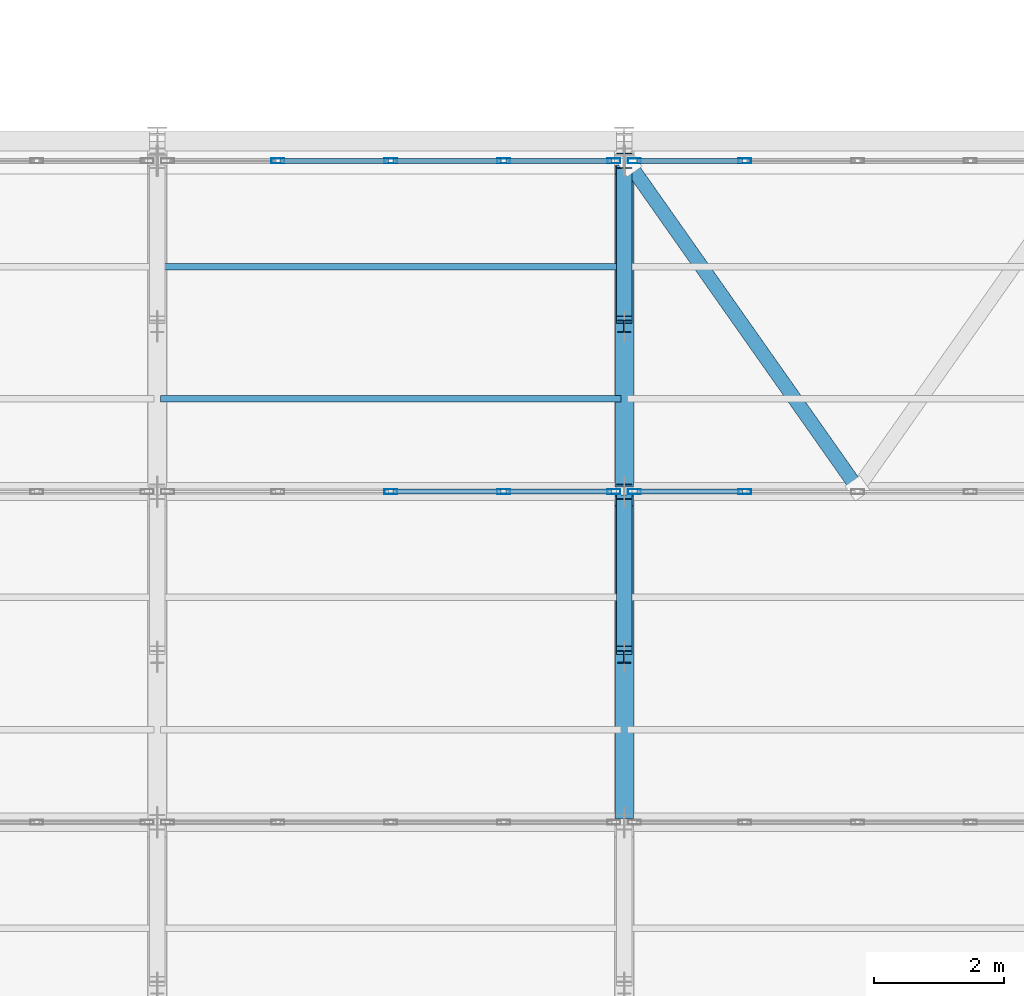
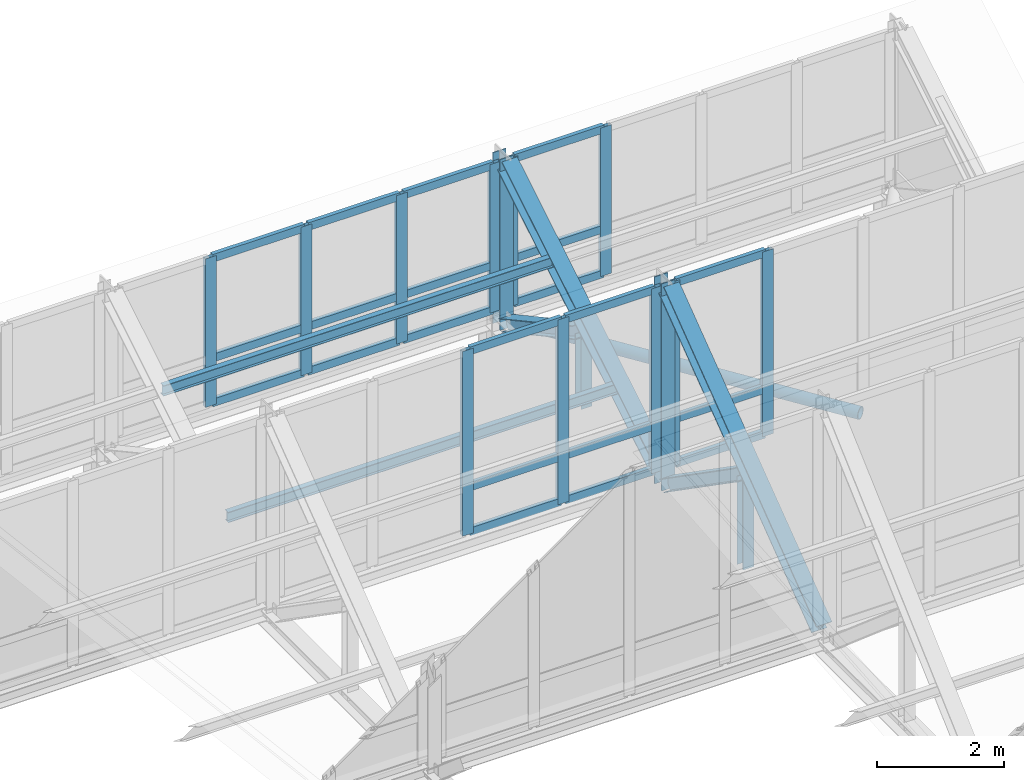
# One storey, part 69 of 157: 43 members, 4 elements without a shape of their own.
"""IFC4 building model written with IfcOpenShell, lengths in metres."""

from ifc_helpers import new_model, si_unit, direction, frame, origin, origin_2d, place, context, subcontext, project, spatial, hollow_rectangle, hollow_circle, i_section, extrude, material, material_profile, profile_set, type_object, element, aggregate, save


model = new_model("IFC4")

# Units and contexts
model_context = context("Model", 3, precision=1e-05, world=origin(), true_north=direction((0.0, 1.0)))
body_context = subcontext(model_context, "Body", "Model", "MODEL_VIEW")
ifc_project = project(units=[si_unit("LENGTHUNIT", "METRE"), si_unit("AREAUNIT", "SQUARE_METRE"), si_unit("VOLUMEUNIT", "CUBIC_METRE"), si_unit("PLANEANGLEUNIT", "RADIAN"), si_unit("MASSUNIT", "GRAM", prefix="KILO")], contexts=[model_context])

# Site, building, storey
site_placement = place(None, origin())
site = spatial("IfcSite", under=ifc_project, at=site_placement, CompositionType="ELEMENT")
building_placement = place(site_placement, origin())
building = spatial("IfcBuilding", under=site, at=building_placement, Name="Suanplinth Sawtooth Commons", CompositionType="ELEMENT")
storey_placement = place(building_placement, frame((0.0, 0.0, 9.0)))
storey = spatial("IfcBuildingStorey", under=building, at=storey_placement, Name="L02", CompositionType="ELEMENT", Elevation=9.0)

# Members
ifc_material_1 = material(Name="Steel S355JR", Category="steel")
ifc_material_profile_1 = material_profile(ifc_material_1, i_section(OverallWidth=0.280029296875, OverallDepth=0.280029296875, WebThickness=0.010498046875, FlangeThickness=0.01806640625, at=origin_2d()), Name="HEB 280")
ifc_profile_set_1 = profile_set([ifc_material_profile_1], Name="Steel S355JR")
member_type_1 = type_object("IfcMemberType", Name="M-02", PredefinedType="CHORD", material=ifc_profile_set_1)
member_1_placement = place(storey_placement, frame((108.0, 76.0400390625, 2.919921875), z_axis=(0.0, 0.799596436712, 0.600537707723), x_axis=(-1.0, 0.0, 0.0)))
element("IfcMember", 1, at=member_1_placement, inside=storey, type_object=member_type_1, Name="Sawtooth Truss T7 Top Chord 6", PredefinedType="CHORD", context=body_context, shape_type="SweptSolid", body=[
    extrude(i_section(OverallWidth=0.280029296875, OverallDepth=0.280029296875, WebThickness=0.010498046875, FlangeThickness=0.01806640625, at=origin_2d()), origin(), (0.0, 0.0, 1.0), 6.028076171875),
])
member_2_placement = place(storey_placement, frame((108.0, 81.139892578125, 2.919921875), z_axis=(0.0, 0.855283356021, 0.51816057445), x_axis=(-1.0, 0.0, 0.0)))
element("IfcMember", 2, at=member_2_placement, inside=storey, type_object=member_type_1, Name="Sawtooth Truss T7 Top Chord 7", PredefinedType="CHORD", context=body_context, shape_type="SweptSolid", body=[
    extrude(i_section(OverallWidth=0.280029296875, OverallDepth=0.280029296875, WebThickness=0.010498046875, FlangeThickness=0.01806640625, at=origin_2d()), origin(), (0.0, 0.0, 1.0), 5.6357421875),
])
ifc_material_profile_2 = material_profile(ifc_material_1, i_section(OverallWidth=0.239990234375, OverallDepth=0.22998046875, WebThickness=0.007568359375, FlangeThickness=0.011962890625, at=origin_2d()), Name="HEA 240")
ifc_profile_set_2 = profile_set([ifc_material_profile_2], Name="Steel S355JR")
member_type_2 = type_object("IfcMemberType", Name="M-03", PredefinedType="BRACE", material=ifc_profile_set_2)
member_3_placement = place(storey_placement, frame((108.0, 78.550048828125, 4.3701171875), z_axis=(0.0, 0.821010399862, -0.570913236245), x_axis=(-1.0, 0.0, 0.0)))
element("IfcMember", 3, at=member_3_placement, inside=storey, type_object=member_type_2, Name="Sawtooth Truss T7 Web Diagonal 6", PredefinedType="BRACE", context=body_context, shape_type="SweptSolid", body=[
    extrude(i_section(OverallWidth=0.239990234375, OverallDepth=0.22998046875, WebThickness=0.007568359375, FlangeThickness=0.011962890625, at=origin_2d()), origin(), (0.0, 0.0, 1.0), 2.837646484375),
])
member_4_placement = place(storey_placement, frame((108.0, 83.64990234375, 4.02001953125), z_axis=(0.0, 0.878043199154, -0.478581383277), x_axis=(-1.0, 0.0, 0.0)))
element("IfcMember", 4, at=member_4_placement, inside=storey, type_object=member_type_2, Name="Sawtooth Truss T7 Web Diagonal 7", PredefinedType="BRACE", context=body_context, shape_type="SweptSolid", body=[
    extrude(i_section(OverallWidth=0.239990234375, OverallDepth=0.22998046875, WebThickness=0.007568359375, FlangeThickness=0.011962890625, at=origin_2d()), origin(), (0.0, 0.0, 1.0), 2.65380859375),
])
ifc_material_profile_3 = material_profile(ifc_material_1, i_section(OverallWidth=0.199951171875, OverallDepth=0.18994140625, WebThickness=0.006591796875, FlangeThickness=0.010009765625, at=origin_2d()), Name="HEA 200")
ifc_profile_set_3 = profile_set([ifc_material_profile_3], Name="Steel S355JR")
member_type_3 = type_object("IfcMemberType", Name="M-04", PredefinedType="BRACE", material=ifc_profile_set_3)
member_5_placement = place(storey_placement, frame((108.0, 78.449951171875, 2.64990234375), z_axis=(0.0, 0.0, 1.0), x_axis=(1.0, 0.0, 0.0)))
element("IfcMember", 5, at=member_5_placement, inside=storey, type_object=member_type_3, Name="Sawtooth Truss T7 Mid Web Post 6", PredefinedType="BRACE", context=body_context, shape_type="SweptSolid", body=[
    extrude(i_section(OverallWidth=0.199951171875, OverallDepth=0.18994140625, WebThickness=0.006591796875, FlangeThickness=0.010009765625, at=origin_2d()), origin(), (0.0, 0.0, 1.0), 1.7001953125),
])
member_6_placement = place(storey_placement, frame((108.0, 83.550048828125, 2.64990234375), z_axis=(0.0, 0.0, 1.0), x_axis=(1.0, 0.0, 0.0)))
element("IfcMember", 6, at=member_6_placement, inside=storey, type_object=member_type_3, Name="Sawtooth Truss T7 Mid Web Post 7", PredefinedType="BRACE", context=body_context, shape_type="SweptSolid", body=[
    extrude(i_section(OverallWidth=0.199951171875, OverallDepth=0.18994140625, WebThickness=0.006591796875, FlangeThickness=0.010009765625, at=origin_2d()), origin(), (0.0, 0.0, 1.0), 1.35009765625),
])
ifc_material_profile_4 = material_profile(ifc_material_1, i_section(OverallWidth=0.239990234375, OverallDepth=0.239990234375, WebThickness=0.010009765625, FlangeThickness=0.01708984375, at=origin_2d()), Name="HEB 240")
ifc_profile_set_4 = profile_set([ifc_material_profile_4], Name="Steel S355JR")
member_type_4 = type_object("IfcMemberType", Name="M-05", PredefinedType="POST", material=ifc_profile_set_4)
member_7_placement = place(storey_placement, frame((108.0, 81.0, 2.64990234375), z_axis=(0.0, 0.0, 1.0), x_axis=(1.0, 0.0, 0.0)))
element("IfcMember", 7, at=member_7_placement, inside=storey, type_object=member_type_4, Name="Sawtooth Truss T7 Clerestory Post 6", PredefinedType="POST", context=body_context, shape_type="SweptSolid", body=[
    extrude(i_section(OverallWidth=0.239990234375, OverallDepth=0.239990234375, WebThickness=0.010009765625, FlangeThickness=0.01708984375, at=origin_2d()), origin(), (0.0, 0.0, 1.0), 3.989990234375),
])
member_8_placement = place(storey_placement, frame((108.0, 86.10009765625, 2.64990234375), z_axis=(0.0, 0.0, 1.0), x_axis=(1.0, 0.0, 0.0)))
element("IfcMember", 8, at=member_8_placement, inside=storey, type_object=member_type_4, Name="Sawtooth Truss T7 Clerestory Post 7", PredefinedType="POST", context=body_context, shape_type="SweptSolid", body=[
    extrude(i_section(OverallWidth=0.239990234375, OverallDepth=0.239990234375, WebThickness=0.010009765625, FlangeThickness=0.01708984375, at=origin_2d()), origin(), (0.0, 0.0, 1.0), 3.2900390625),
])
ifc_material_2 = material(Name="Steel SS400", Category="steel")
ifc_material_profile_5 = material_profile(ifc_material_2, i_section(OverallWidth=0.10009765625, OverallDepth=0.199951171875, WebThickness=0.005615234375, FlangeThickness=0.008544921875, at=origin_2d()), Name="IPE 200")
ifc_profile_set_5 = profile_set([ifc_material_profile_5], Name="Steel SS400")
member_type_5 = type_object("IfcMemberType", Name="M-06", PredefinedType="PURLIN", material=ifc_profile_set_5)
for number, where, z_axis, x_axis, name in (
    (9, (100.85009765625, 82.427978515625, 3.691162109375), (1.0, 0.0, 0.0), (0.0, 1.0, 0.0), "Sawtooth Roof Purlin T7-B6-P1"),
    (10, (100.85009765625, 84.468017578125, 4.89111328125), (1.0, 0.0, 0.0), (0.0, 1.0, 0.0), "Sawtooth Roof Purlin T7-B6-P2"),
):
    element("IfcMember", number, at=place(storey_placement, frame(where, z_axis=z_axis, x_axis=x_axis)), inside=storey, type_object=member_type_5, Name=name, PredefinedType="PURLIN", context=body_context, shape_type="SweptSolid", body=[
        extrude(i_section(OverallWidth=0.10009765625, OverallDepth=0.199951171875, WebThickness=0.005615234375, FlangeThickness=0.008544921875, at=origin_2d()), origin(), (0.0, 0.0, 1.0), 7.099853515625),
    ])
ifc_material_profile_6 = material_profile(ifc_material_1, hollow_circle(Radius=0.109619140625, WallThickness=0.010009765625, at=origin_2d()), Name="CHS 219.1x10")
ifc_profile_set_6 = profile_set([ifc_material_profile_6], Name="Steel S355JR")
member_type_6 = type_object("IfcMemberType", Name="M-08", PredefinedType="BRACE", material=ifc_profile_set_6)
member_9_placement = place(storey_placement, frame((108.080078125, 86.050048828125, 2.75), z_axis=(0.575657568644, -0.817690872924, 0.0), x_axis=(0.817690872924, 0.575657568644, 0.0)))
element("IfcMember", 11, at=member_9_placement, inside=storey, type_object=member_type_6, Name="Sawtooth Roof Plan Brace B7-3", PredefinedType="BRACE", context=body_context, shape_type="SweptSolid", body=[
    extrude(hollow_circle(Radius=0.109619140625, WallThickness=0.010009765625, at=origin_2d()), origin(), (0.0, 0.0, 1.0), 6.11474609375),
])

# Curtain wall, members
ifc_material_3 = material(Name="Anodized aluminium and low-E glazing", Category="aluminium")
curtain_wall_type = type_object("IfcCurtainWallType", Name="CW-03", PredefinedType="USERDEFINED", material=ifc_material_3)
curtain_wall_1_placement = place(storey_placement, origin())
curtain_wall_1 = element("IfcCurtainWall", 12, at=curtain_wall_1_placement, inside=storey, type_object=curtain_wall_type, Name="Curtain Wall CW-SAW-T6-B6", ObjectType="CURTAIN WALL", PredefinedType="USERDEFINED")
ifc_material_4 = material(Name="Anodized aluminium 6063-T6", Category="aluminium")
ifc_material_profile_7 = material_profile(ifc_material_4, hollow_rectangle(XDim=0.074951171875, YDim=0.199951171875, WallThickness=0.0048828125, at=origin_2d()), Name="ALU-MUL 75x200")
ifc_profile_set_7 = profile_set([ifc_material_profile_7], Name="Anodized aluminium 6063-T6")
member_type_7 = type_object("IfcMemberType", Name="M-14", PredefinedType="MULLION", material=ifc_profile_set_7)
member_10_placement = place(storey_placement, frame((104.39990234375, 81.0, 2.97998046875), z_axis=(0.0, 0.0, 1.0), x_axis=(0.0, 1.0, 0.0)))
member_10 = element("IfcMember", 13, at=member_10_placement, type_object=member_type_7, Name="CW-03 mullion 3", PredefinedType="MULLION", context=body_context, shape_type="SweptSolid", body=[
    extrude(hollow_rectangle(XDim=0.074951171875, YDim=0.199951171875, WallThickness=0.0048828125, at=origin_2d()), origin(), (0.0, 0.0, 1.0), 3.56005859375),
])
member_11_placement = place(storey_placement, frame((106.139892578125, 81.0, 2.97998046875), z_axis=(0.0, 0.0, 1.0), x_axis=(0.0, 1.0, 0.0)))
member_11 = element("IfcMember", 14, at=member_11_placement, type_object=member_type_7, Name="CW-03 mullion 4", PredefinedType="MULLION", context=body_context, shape_type="SweptSolid", body=[
    extrude(hollow_rectangle(XDim=0.074951171875, YDim=0.199951171875, WallThickness=0.0048828125, at=origin_2d()), origin(), (0.0, 0.0, 1.0), 3.56005859375),
])
member_12_placement = place(storey_placement, frame((107.842529296875, 81.0, 2.97998046875), z_axis=(0.0, 0.0, 1.0), x_axis=(0.0, 1.0, 0.0)))
member_12 = element("IfcMember", 15, at=member_12_placement, type_object=member_type_7, Name="CW-03 mullion 5", PredefinedType="MULLION", context=body_context, shape_type="SweptSolid", body=[
    extrude(hollow_rectangle(XDim=0.074951171875, YDim=0.199951171875, WallThickness=0.0048828125, at=origin_2d()), origin(), (0.0, 0.0, 1.0), 3.56005859375),
])

curtain_wall_2_placement = place(storey_placement, origin())
curtain_wall_2 = element("IfcCurtainWall", 16, at=curtain_wall_2_placement, inside=storey, type_object=curtain_wall_type, Name="Curtain Wall CW-SAW-T6-B7", ObjectType="CURTAIN WALL", PredefinedType="USERDEFINED")
member_13_placement = place(storey_placement, frame((108.157470703125, 81.0, 2.97998046875), z_axis=(0.0, 0.0, 1.0), x_axis=(0.0, 1.0, 0.0)))
member_13 = element("IfcMember", 17, at=member_13_placement, type_object=member_type_7, Name="CW-03 mullion 1", PredefinedType="MULLION", context=body_context, shape_type="SweptSolid", body=[
    extrude(hollow_rectangle(XDim=0.074951171875, YDim=0.199951171875, WallThickness=0.0048828125, at=origin_2d()), origin(), (0.0, 0.0, 1.0), 3.56005859375),
])
member_14_placement = place(storey_placement, frame((109.860107421875, 81.0, 2.97998046875), z_axis=(0.0, 0.0, 1.0), x_axis=(0.0, 1.0, 0.0)))
member_14 = element("IfcMember", 18, at=member_14_placement, type_object=member_type_7, Name="CW-03 mullion 2", PredefinedType="MULLION", context=body_context, shape_type="SweptSolid", body=[
    extrude(hollow_rectangle(XDim=0.074951171875, YDim=0.199951171875, WallThickness=0.0048828125, at=origin_2d()), origin(), (0.0, 0.0, 1.0), 3.56005859375),
])

curtain_wall_3_placement = place(storey_placement, origin())
curtain_wall_3 = element("IfcCurtainWall", 19, at=curtain_wall_3_placement, inside=storey, type_object=curtain_wall_type, Name="Curtain Wall CW-SAW-T7-B6", ObjectType="CURTAIN WALL", PredefinedType="USERDEFINED")
member_15_placement = place(storey_placement, frame((102.659912109375, 86.10009765625, 2.97998046875), z_axis=(0.0, 0.0, 1.0), x_axis=(0.0, 1.0, 0.0)))
member_15 = element("IfcMember", 20, at=member_15_placement, type_object=member_type_7, Name="CW-03 mullion 2", PredefinedType="MULLION", context=body_context, shape_type="SweptSolid", body=[
    extrude(hollow_rectangle(XDim=0.074951171875, YDim=0.199951171875, WallThickness=0.0048828125, at=origin_2d()), origin(), (0.0, 0.0, 1.0), 2.860107421875),
])
member_16_placement = place(storey_placement, frame((104.39990234375, 86.10009765625, 2.97998046875), z_axis=(0.0, 0.0, 1.0), x_axis=(0.0, 1.0, 0.0)))
member_16 = element("IfcMember", 21, at=member_16_placement, type_object=member_type_7, Name="CW-03 mullion 3", PredefinedType="MULLION", context=body_context, shape_type="SweptSolid", body=[
    extrude(hollow_rectangle(XDim=0.074951171875, YDim=0.199951171875, WallThickness=0.0048828125, at=origin_2d()), origin(), (0.0, 0.0, 1.0), 2.860107421875),
])
member_17_placement = place(storey_placement, frame((106.139892578125, 86.10009765625, 2.97998046875), z_axis=(0.0, 0.0, 1.0), x_axis=(0.0, 1.0, 0.0)))
member_17 = element("IfcMember", 22, at=member_17_placement, type_object=member_type_7, Name="CW-03 mullion 4", PredefinedType="MULLION", context=body_context, shape_type="SweptSolid", body=[
    extrude(hollow_rectangle(XDim=0.074951171875, YDim=0.199951171875, WallThickness=0.0048828125, at=origin_2d()), origin(), (0.0, 0.0, 1.0), 2.860107421875),
])
member_18_placement = place(storey_placement, frame((107.842529296875, 86.10009765625, 2.97998046875), z_axis=(0.0, 0.0, 1.0), x_axis=(0.0, 1.0, 0.0)))
member_18 = element("IfcMember", 23, at=member_18_placement, type_object=member_type_7, Name="CW-03 mullion 5", PredefinedType="MULLION", context=body_context, shape_type="SweptSolid", body=[
    extrude(hollow_rectangle(XDim=0.074951171875, YDim=0.199951171875, WallThickness=0.0048828125, at=origin_2d()), origin(), (0.0, 0.0, 1.0), 2.860107421875),
])

curtain_wall_4_placement = place(storey_placement, origin())
curtain_wall_4 = element("IfcCurtainWall", 24, at=curtain_wall_4_placement, inside=storey, type_object=curtain_wall_type, Name="Curtain Wall CW-SAW-T7-B7", ObjectType="CURTAIN WALL", PredefinedType="USERDEFINED")
member_19_placement = place(storey_placement, frame((108.157470703125, 86.10009765625, 2.97998046875), z_axis=(0.0, 0.0, 1.0), x_axis=(0.0, 1.0, 0.0)))
member_19 = element("IfcMember", 25, at=member_19_placement, type_object=member_type_7, Name="CW-03 mullion 1", PredefinedType="MULLION", context=body_context, shape_type="SweptSolid", body=[
    extrude(hollow_rectangle(XDim=0.074951171875, YDim=0.199951171875, WallThickness=0.0048828125, at=origin_2d()), origin(), (0.0, 0.0, 1.0), 2.860107421875),
])
member_20_placement = place(storey_placement, frame((109.860107421875, 86.10009765625, 2.97998046875), z_axis=(0.0, 0.0, 1.0), x_axis=(0.0, 1.0, 0.0)))
member_20 = element("IfcMember", 26, at=member_20_placement, type_object=member_type_7, Name="CW-03 mullion 2", PredefinedType="MULLION", context=body_context, shape_type="SweptSolid", body=[
    extrude(hollow_rectangle(XDim=0.074951171875, YDim=0.199951171875, WallThickness=0.0048828125, at=origin_2d()), origin(), (0.0, 0.0, 1.0), 2.860107421875),
])

# Member
ifc_material_profile_8 = material_profile(ifc_material_4, hollow_rectangle(XDim=0.074951171875, YDim=0.14990234375, WallThickness=0.00439453125, at=origin_2d()), Name="ALU-TRN 75x150")
ifc_profile_set_8 = profile_set([ifc_material_profile_8], Name="Anodized aluminium 6063-T6")
member_type_8 = type_object("IfcMemberType", Name="M-16", PredefinedType="USERDEFINED", material=ifc_profile_set_8)
member_21_placement = place(storey_placement, frame((104.4375, 81.0, 3.017578125), z_axis=(1.0, 0.0, 0.0), x_axis=(0.0, 1.0, 0.0)))
member_21 = element("IfcMember", 27, at=member_21_placement, type_object=member_type_8, Name="CW-03 transom 3.1", ObjectType="TRANSOM", PredefinedType="USERDEFINED", context=body_context, shape_type="SweptSolid", body=[
    extrude(hollow_rectangle(XDim=0.074951171875, YDim=0.14990234375, WallThickness=0.00439453125, at=origin_2d()), origin(), (0.0, 0.0, 1.0), 1.6650390625),
])

member_22_placement = place(storey_placement, frame((104.4375, 81.0, 3.8798828125), z_axis=(1.0, 0.0, 0.0), x_axis=(0.0, 1.0, 0.0)))
member_22 = element("IfcMember", 28, at=member_22_placement, type_object=member_type_8, Name="CW-03 transom 3.2", ObjectType="TRANSOM", PredefinedType="USERDEFINED", context=body_context, shape_type="SweptSolid", body=[
    extrude(hollow_rectangle(XDim=0.074951171875, YDim=0.14990234375, WallThickness=0.00439453125, at=origin_2d()), origin(), (0.0, 0.0, 1.0), 1.6650390625),
])

member_23_placement = place(storey_placement, frame((104.4375, 81.0, 6.50244140625), z_axis=(1.0, 0.0, 0.0), x_axis=(0.0, 1.0, 0.0)))
member_23 = element("IfcMember", 29, at=member_23_placement, type_object=member_type_8, Name="CW-03 transom 3.3", ObjectType="TRANSOM", PredefinedType="USERDEFINED", context=body_context, shape_type="SweptSolid", body=[
    extrude(hollow_rectangle(XDim=0.074951171875, YDim=0.14990234375, WallThickness=0.00439453125, at=origin_2d()), origin(), (0.0, 0.0, 1.0), 1.6650390625),
])

member_24_placement = place(storey_placement, frame((106.177490234375, 81.0, 3.017578125), z_axis=(1.0, 0.0, 0.0), x_axis=(0.0, 1.0, 0.0)))
member_24 = element("IfcMember", 30, at=member_24_placement, type_object=member_type_8, Name="CW-03 transom 4.1", ObjectType="TRANSOM", PredefinedType="USERDEFINED", context=body_context, shape_type="SweptSolid", body=[
    extrude(hollow_rectangle(XDim=0.074951171875, YDim=0.14990234375, WallThickness=0.00439453125, at=origin_2d()), origin(), (0.0, 0.0, 1.0), 1.62744140625),
])

member_25_placement = place(storey_placement, frame((106.177490234375, 81.0, 3.8798828125), z_axis=(1.0, 0.0, 0.0), x_axis=(0.0, 1.0, 0.0)))
member_25 = element("IfcMember", 31, at=member_25_placement, type_object=member_type_8, Name="CW-03 transom 4.2", ObjectType="TRANSOM", PredefinedType="USERDEFINED", context=body_context, shape_type="SweptSolid", body=[
    extrude(hollow_rectangle(XDim=0.074951171875, YDim=0.14990234375, WallThickness=0.00439453125, at=origin_2d()), origin(), (0.0, 0.0, 1.0), 1.62744140625),
])

member_26_placement = place(storey_placement, frame((106.177490234375, 81.0, 6.50244140625), z_axis=(1.0, 0.0, 0.0), x_axis=(0.0, 1.0, 0.0)))
member_26 = element("IfcMember", 32, at=member_26_placement, type_object=member_type_8, Name="CW-03 transom 4.3", ObjectType="TRANSOM", PredefinedType="USERDEFINED", context=body_context, shape_type="SweptSolid", body=[
    extrude(hollow_rectangle(XDim=0.074951171875, YDim=0.14990234375, WallThickness=0.00439453125, at=origin_2d()), origin(), (0.0, 0.0, 1.0), 1.62744140625),
])

aggregate(curtain_wall_1, [member_10, member_11, member_12, member_21, member_22, member_23, member_24, member_25, member_26])

member_27_placement = place(storey_placement, frame((108.195068359375, 81.0, 3.017578125), z_axis=(1.0, 0.0, 0.0), x_axis=(0.0, 1.0, 0.0)))
member_27 = element("IfcMember", 33, at=member_27_placement, type_object=member_type_8, Name="CW-03 transom 1.1", ObjectType="TRANSOM", PredefinedType="USERDEFINED", context=body_context, shape_type="SweptSolid", body=[
    extrude(hollow_rectangle(XDim=0.074951171875, YDim=0.14990234375, WallThickness=0.00439453125, at=origin_2d()), origin(), (0.0, 0.0, 1.0), 1.62744140625),
])

member_28_placement = place(storey_placement, frame((108.195068359375, 81.0, 3.8798828125), z_axis=(1.0, 0.0, 0.0), x_axis=(0.0, 1.0, 0.0)))
member_28 = element("IfcMember", 34, at=member_28_placement, type_object=member_type_8, Name="CW-03 transom 1.2", ObjectType="TRANSOM", PredefinedType="USERDEFINED", context=body_context, shape_type="SweptSolid", body=[
    extrude(hollow_rectangle(XDim=0.074951171875, YDim=0.14990234375, WallThickness=0.00439453125, at=origin_2d()), origin(), (0.0, 0.0, 1.0), 1.62744140625),
])

member_29_placement = place(storey_placement, frame((108.195068359375, 81.0, 6.50244140625), z_axis=(1.0, 0.0, 0.0), x_axis=(0.0, 1.0, 0.0)))
member_29 = element("IfcMember", 35, at=member_29_placement, type_object=member_type_8, Name="CW-03 transom 1.3", ObjectType="TRANSOM", PredefinedType="USERDEFINED", context=body_context, shape_type="SweptSolid", body=[
    extrude(hollow_rectangle(XDim=0.074951171875, YDim=0.14990234375, WallThickness=0.00439453125, at=origin_2d()), origin(), (0.0, 0.0, 1.0), 1.62744140625),
])

aggregate(curtain_wall_2, [member_13, member_14, member_27, member_28, member_29])

member_30_placement = place(storey_placement, frame((102.697509765625, 86.10009765625, 3.017578125), z_axis=(1.0, 0.0, 0.0), x_axis=(0.0, 1.0, 0.0)))
member_30 = element("IfcMember", 36, at=member_30_placement, type_object=member_type_8, Name="CW-03 transom 2.1", ObjectType="TRANSOM", PredefinedType="USERDEFINED", context=body_context, shape_type="SweptSolid", body=[
    extrude(hollow_rectangle(XDim=0.074951171875, YDim=0.14990234375, WallThickness=0.00439453125, at=origin_2d()), origin(), (0.0, 0.0, 1.0), 1.6650390625),
])

member_31_placement = place(storey_placement, frame((102.697509765625, 86.10009765625, 3.8798828125), z_axis=(1.0, 0.0, 0.0), x_axis=(0.0, 1.0, 0.0)))
member_31 = element("IfcMember", 37, at=member_31_placement, type_object=member_type_8, Name="CW-03 transom 2.2", ObjectType="TRANSOM", PredefinedType="USERDEFINED", context=body_context, shape_type="SweptSolid", body=[
    extrude(hollow_rectangle(XDim=0.074951171875, YDim=0.14990234375, WallThickness=0.00439453125, at=origin_2d()), origin(), (0.0, 0.0, 1.0), 1.6650390625),
])

member_32_placement = place(storey_placement, frame((102.697509765625, 86.10009765625, 5.802490234375), z_axis=(1.0, 0.0, 0.0), x_axis=(0.0, 1.0, 0.0)))
member_32 = element("IfcMember", 38, at=member_32_placement, type_object=member_type_8, Name="CW-03 transom 2.3", ObjectType="TRANSOM", PredefinedType="USERDEFINED", context=body_context, shape_type="SweptSolid", body=[
    extrude(hollow_rectangle(XDim=0.074951171875, YDim=0.14990234375, WallThickness=0.00439453125, at=origin_2d()), origin(), (0.0, 0.0, 1.0), 1.6650390625),
])

member_33_placement = place(storey_placement, frame((104.4375, 86.10009765625, 3.017578125), z_axis=(1.0, 0.0, 0.0), x_axis=(0.0, 1.0, 0.0)))
member_33 = element("IfcMember", 39, at=member_33_placement, type_object=member_type_8, Name="CW-03 transom 3.1", ObjectType="TRANSOM", PredefinedType="USERDEFINED", context=body_context, shape_type="SweptSolid", body=[
    extrude(hollow_rectangle(XDim=0.074951171875, YDim=0.14990234375, WallThickness=0.00439453125, at=origin_2d()), origin(), (0.0, 0.0, 1.0), 1.6650390625),
])

member_34_placement = place(storey_placement, frame((104.4375, 86.10009765625, 3.8798828125), z_axis=(1.0, 0.0, 0.0), x_axis=(0.0, 1.0, 0.0)))
member_34 = element("IfcMember", 40, at=member_34_placement, type_object=member_type_8, Name="CW-03 transom 3.2", ObjectType="TRANSOM", PredefinedType="USERDEFINED", context=body_context, shape_type="SweptSolid", body=[
    extrude(hollow_rectangle(XDim=0.074951171875, YDim=0.14990234375, WallThickness=0.00439453125, at=origin_2d()), origin(), (0.0, 0.0, 1.0), 1.6650390625),
])

member_35_placement = place(storey_placement, frame((104.4375, 86.10009765625, 5.802490234375), z_axis=(1.0, 0.0, 0.0), x_axis=(0.0, 1.0, 0.0)))
member_35 = element("IfcMember", 41, at=member_35_placement, type_object=member_type_8, Name="CW-03 transom 3.3", ObjectType="TRANSOM", PredefinedType="USERDEFINED", context=body_context, shape_type="SweptSolid", body=[
    extrude(hollow_rectangle(XDim=0.074951171875, YDim=0.14990234375, WallThickness=0.00439453125, at=origin_2d()), origin(), (0.0, 0.0, 1.0), 1.6650390625),
])

member_36_placement = place(storey_placement, frame((106.177490234375, 86.10009765625, 3.017578125), z_axis=(1.0, 0.0, 0.0), x_axis=(0.0, 1.0, 0.0)))
member_36 = element("IfcMember", 42, at=member_36_placement, type_object=member_type_8, Name="CW-03 transom 4.1", ObjectType="TRANSOM", PredefinedType="USERDEFINED", context=body_context, shape_type="SweptSolid", body=[
    extrude(hollow_rectangle(XDim=0.074951171875, YDim=0.14990234375, WallThickness=0.00439453125, at=origin_2d()), origin(), (0.0, 0.0, 1.0), 1.62744140625),
])

member_37_placement = place(storey_placement, frame((106.177490234375, 86.10009765625, 3.8798828125), z_axis=(1.0, 0.0, 0.0), x_axis=(0.0, 1.0, 0.0)))
member_37 = element("IfcMember", 43, at=member_37_placement, type_object=member_type_8, Name="CW-03 transom 4.2", ObjectType="TRANSOM", PredefinedType="USERDEFINED", context=body_context, shape_type="SweptSolid", body=[
    extrude(hollow_rectangle(XDim=0.074951171875, YDim=0.14990234375, WallThickness=0.00439453125, at=origin_2d()), origin(), (0.0, 0.0, 1.0), 1.62744140625),
])

member_38_placement = place(storey_placement, frame((106.177490234375, 86.10009765625, 5.802490234375), z_axis=(1.0, 0.0, 0.0), x_axis=(0.0, 1.0, 0.0)))
member_38 = element("IfcMember", 44, at=member_38_placement, type_object=member_type_8, Name="CW-03 transom 4.3", ObjectType="TRANSOM", PredefinedType="USERDEFINED", context=body_context, shape_type="SweptSolid", body=[
    extrude(hollow_rectangle(XDim=0.074951171875, YDim=0.14990234375, WallThickness=0.00439453125, at=origin_2d()), origin(), (0.0, 0.0, 1.0), 1.62744140625),
])

aggregate(curtain_wall_3, [member_15, member_16, member_17, member_18, member_30, member_31, member_32, member_33, member_34, member_35, member_36, member_37, member_38])

member_39_placement = place(storey_placement, frame((108.195068359375, 86.10009765625, 3.017578125), z_axis=(1.0, 0.0, 0.0), x_axis=(0.0, 1.0, 0.0)))
member_39 = element("IfcMember", 45, at=member_39_placement, type_object=member_type_8, Name="CW-03 transom 1.1", ObjectType="TRANSOM", PredefinedType="USERDEFINED", context=body_context, shape_type="SweptSolid", body=[
    extrude(hollow_rectangle(XDim=0.074951171875, YDim=0.14990234375, WallThickness=0.00439453125, at=origin_2d()), origin(), (0.0, 0.0, 1.0), 1.62744140625),
])

member_40_placement = place(storey_placement, frame((108.195068359375, 86.10009765625, 3.8798828125), z_axis=(1.0, 0.0, 0.0), x_axis=(0.0, 1.0, 0.0)))
member_40 = element("IfcMember", 46, at=member_40_placement, type_object=member_type_8, Name="CW-03 transom 1.2", ObjectType="TRANSOM", PredefinedType="USERDEFINED", context=body_context, shape_type="SweptSolid", body=[
    extrude(hollow_rectangle(XDim=0.074951171875, YDim=0.14990234375, WallThickness=0.00439453125, at=origin_2d()), origin(), (0.0, 0.0, 1.0), 1.62744140625),
])

member_41_placement = place(storey_placement, frame((108.195068359375, 86.10009765625, 5.802490234375), z_axis=(1.0, 0.0, 0.0), x_axis=(0.0, 1.0, 0.0)))
member_41 = element("IfcMember", 47, at=member_41_placement, type_object=member_type_8, Name="CW-03 transom 1.3", ObjectType="TRANSOM", PredefinedType="USERDEFINED", context=body_context, shape_type="SweptSolid", body=[
    extrude(hollow_rectangle(XDim=0.074951171875, YDim=0.14990234375, WallThickness=0.00439453125, at=origin_2d()), origin(), (0.0, 0.0, 1.0), 1.62744140625),
])

aggregate(curtain_wall_4, [member_19, member_20, member_39, member_40, member_41])

save(model, "model.ifc")
